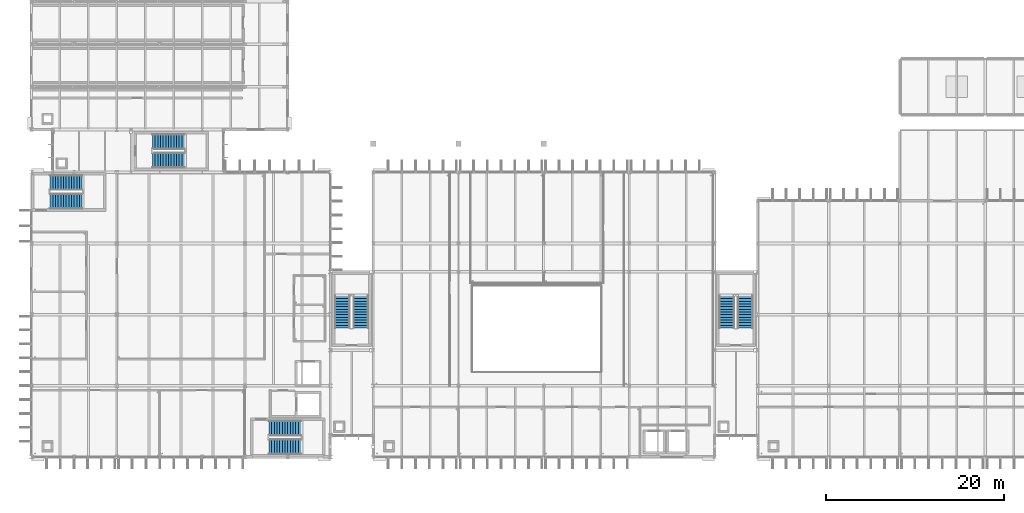
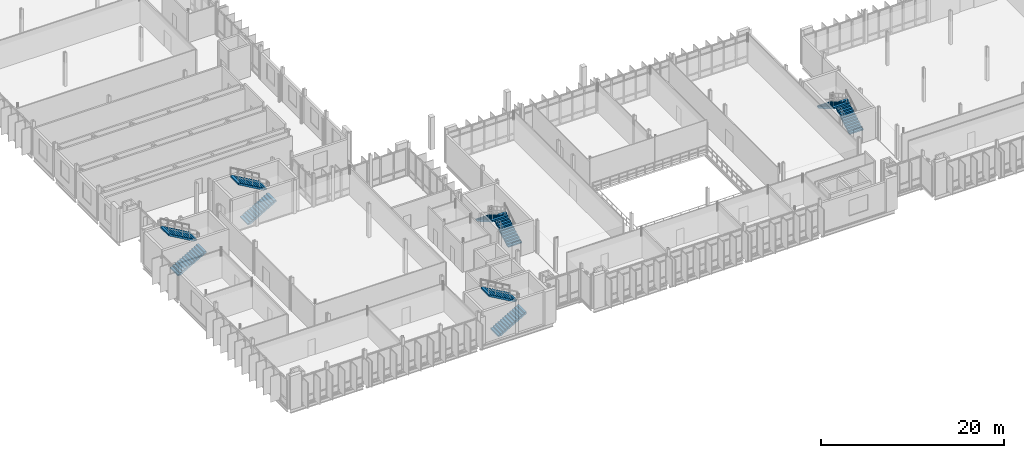
# One storey, part 68 of 110: 10 stair flights, 5 elements without a shape of their own.
"""IFC4 building model written with IfcOpenShell, lengths in metres."""

import ifcopenshell
import ifcopenshell.guid

model = None  # the IFC model being written
_history = None  # IfcOwnerHistory: only IFC2X3 demands one
_inside = {}  # id of a spatial element -> (the spatial element, [elements in it])
_under = {}  # id of a project, library or spatial element -> (it, [spatial elements below it])
_declared = {}  # id of a project -> (the project, [libraries it declares])
_typed = {}  # id of a type object -> (the type object, [elements of that type])
_made_of = {}  # id of a material, layer set ... -> (it, [elements and type objects made of it])


def new_model(schema):
    """Start an empty IFC model of exactly this schema.

    Asked for "IFC4X3", IfcOpenShell would pick the latest addendum, in which some entities
    have other attributes; the version numbers below select the first issue.
    IFC2X3 requires an IfcOwnerHistory on every rooted entity: one is made here for all.
    """
    global model, _history
    if schema == "IFC4X3":
        model = ifcopenshell.file(schema_version=(4, 3, 0, 0))
    else:
        model = ifcopenshell.file(schema=schema)
    _inside.clear()
    _under.clear()
    _declared.clear()
    _typed.clear()
    _made_of.clear()
    _history = None
    if model.schema == "IFC2X3":
        org = make("IfcOrganization", Name="unknown")
        user = make(
            "IfcPersonAndOrganization",
            ThePerson=make("IfcPerson", FamilyName="unknown"),
            TheOrganization=org,
        )
        app = make(
            "IfcApplication",
            ApplicationDeveloper=org,
            Version="unknown",
            ApplicationFullName="unknown",
            ApplicationIdentifier="unknown",
        )
        _history = make(
            "IfcOwnerHistory",
            OwningUser=user,
            OwningApplication=app,
            ChangeAction="ADDED",
            CreationDate=0,
        )
    return model


def make(cls, **values):
    """One entity of the class cls with the attributes given. An attribute that is None is left unset."""
    return model.create_entity(
        cls, **{name: value for name, value in values.items() if value is not None}
    )


def rooted(cls, **values):
    """An entity with a GlobalId (a new one), such as an element, a storey or a relation."""
    return make(cls, GlobalId=ifcopenshell.guid.new(), OwnerHistory=_history, **values)


def si_unit(unit_type, name, prefix=None):
    """IfcSIUnit, for example si_unit("LENGTHUNIT", "METRE", prefix="MILLI")."""
    return make("IfcSIUnit", UnitType=unit_type, Prefix=prefix, Name=name)


def assignment(units):
    """IfcUnitAssignment: the units of a project."""
    return None if units is None else make("IfcUnitAssignment", Units=units)


def point(xyz):
    """IfcCartesianPoint."""
    return None if xyz is None else make("IfcCartesianPoint", Coordinates=xyz)


def direction(xyz):
    """IfcDirection."""
    return None if xyz is None else make("IfcDirection", DirectionRatios=xyz)


def frame(location, z_axis=None, x_axis=None):
    """IfcAxis2Placement3D, a coordinate frame: its origin and axes. An axis left out is left unset."""
    return make(
        "IfcAxis2Placement3D",
        Location=point(location),
        Axis=direction(z_axis),
        RefDirection=direction(x_axis),
    )


def origin():
    """The frame at (0, 0, 0) with its axes left unset."""
    return frame((0.0, 0.0, 0.0))


def place(relative_to, where):
    """IfcLocalPlacement: puts the frame where relative to a parent placement (None: the world)."""
    return make(
        "IfcLocalPlacement", PlacementRelTo=relative_to, RelativePlacement=where
    )


def context(
    kind, dimensions, precision=None, world=None, true_north=None, identifier=None
):
    """IfcGeometricRepresentationContext, for example the 3D "Model" context."""
    return make(
        "IfcGeometricRepresentationContext",
        ContextIdentifier=identifier,
        ContextType=kind,
        CoordinateSpaceDimension=dimensions,
        Precision=precision,
        WorldCoordinateSystem=world,
        TrueNorth=true_north,
    )


def subcontext(parent, identifier, kind, view, scale=None):
    """IfcGeometricRepresentationSubContext, for example "Body" below "Model"."""
    return make(
        "IfcGeometricRepresentationSubContext",
        ContextIdentifier=identifier,
        ContextType=kind,
        ParentContext=parent,
        TargetScale=scale,
        TargetView=view,
    )


def project(units=None, contexts=None):
    """IfcProject with its units and contexts."""
    return rooted(
        "IfcProject",
        Name="project",
        RepresentationContexts=contexts,
        UnitsInContext=assignment(units),
    )


def spatial(cls, under=None, at=None, **own):
    """A site, building, storey or space (cls), placed at a placement, below another one or the project."""
    s = rooted(cls, ObjectPlacement=at, **own)
    if under is not None:
        _under.setdefault(under.id(), (under, []))[1].append(s)
    return s


def polyline(points):
    """IfcPolyline through the points."""
    return make("IfcPolyline", Points=[point(p) for p in points])


def outline(outer, holes=None, kind="AREA"):
    """IfcArbitraryClosedProfileDef: a profile drawn as a closed curve; with holes, ...WithVoids."""
    if holes is None:
        return make("IfcArbitraryClosedProfileDef", ProfileType=kind, OuterCurve=outer)
    return make(
        "IfcArbitraryProfileDefWithVoids",
        ProfileType=kind,
        OuterCurve=outer,
        InnerCurves=holes,
    )


def extrude(swept, where, along, depth):
    """IfcExtrudedAreaSolid: the profile swept, set in the frame where, extruded along a direction by depth."""
    return make(
        "IfcExtrudedAreaSolid",
        SweptArea=swept,
        Position=where,
        ExtrudedDirection=direction(along),
        Depth=depth,
    )


def shape(context_of_items, identifier, shape_type, items):
    """IfcShapeRepresentation: the items that make up one representation, for example the "Body"."""
    return make(
        "IfcShapeRepresentation",
        ContextOfItems=context_of_items,
        RepresentationIdentifier=identifier,
        RepresentationType=shape_type,
        Items=items,
    )


def material(Name=None, Category=None):
    """IfcMaterial."""
    return make("IfcMaterial", Name=Name, Category=Category)


def made_of(thing, what):
    """Note that an element or type object is made of a material, layer set ...; save() writes the relation."""
    if what is not None:
        _made_of.setdefault(what.id(), (what, []))[1].append(thing)
    return thing


def type_object(cls, material=None, **own):
    """A type object (cls), such as IfcWallType, which elements share."""
    return made_of(rooted(cls, **own), material)


def element(
    cls,
    number,
    at=None,
    inside=None,
    cuts=None,
    type_object=None,
    material=None,
    context=None,
    identifier="Body",
    shape_type=None,
    held_by="IfcProductDefinitionShape",
    body=None,
    shapes=None,
    **own,
):
    """One element of the class cls, such as IfcWall. Its Tag is "e" and its number.

    at: its placement. inside: the storey or other place that contains it. cuts: it is an
    opening in that element (IfcRelVoidsElement). A single representation is given by context,
    identifier, shape_type and body (its items); several are given by shapes. held_by: the class
    of the entity that holds the representations. save() writes the other relations.
    """
    e = rooted(cls, Tag="e%d" % number, ObjectPlacement=at, **own)
    if body is not None:
        shapes = [shape(context, identifier, shape_type, body)]
    if shapes is not None:
        e.Representation = make(held_by, Representations=shapes)
    if inside is not None:
        _inside.setdefault(inside.id(), (inside, []))[1].append(e)
    if cuts is not None:
        rooted(
            "IfcRelVoidsElement", RelatingBuildingElement=cuts, RelatedOpeningElement=e
        )
    if type_object is not None:
        _typed.setdefault(type_object.id(), (type_object, []))[1].append(e)
    return made_of(e, material)


def aggregate(whole, parts):
    """IfcRelAggregates: a whole, such as a stair, and the parts it consists of."""
    return rooted("IfcRelAggregates", RelatingObject=whole, RelatedObjects=parts)


def save(model, path):
    """Write the relations noted so far, then the file.

    IfcRelAggregates (storeys below a building ...), IfcRelContainedInSpatialStructure (elements
    in a storey), IfcRelDefinesByType, IfcRelAssociatesMaterial and IfcRelDeclares: one each for
    every whole, place, type object, material and project.
    """
    for whole, parts in _under.values():
        aggregate(whole, parts)
    for where, things in _inside.values():
        rooted(
            "IfcRelContainedInSpatialStructure",
            RelatedElements=things,
            RelatingStructure=where,
        )
    for kind, things in _typed.values():
        rooted("IfcRelDefinesByType", RelatedObjects=things, RelatingType=kind)
    for what, things in _made_of.values():
        rooted("IfcRelAssociatesMaterial", RelatedObjects=things, RelatingMaterial=what)
    for by, libraries in _declared.values():
        rooted("IfcRelDeclares", RelatingContext=by, RelatedDefinitions=libraries)
    model.write(path)


model = new_model("IFC4")

# Units and contexts
model_context = context("Model", 3, precision=1e-05, world=origin(), true_north=direction((0.0, 1.0)))
body_context = subcontext(model_context, "Body", "Model", "MODEL_VIEW")
ifc_project = project(units=[si_unit("LENGTHUNIT", "METRE"), si_unit("AREAUNIT", "SQUARE_METRE"), si_unit("VOLUMEUNIT", "CUBIC_METRE"), si_unit("PLANEANGLEUNIT", "RADIAN"), si_unit("MASSUNIT", "GRAM", prefix="KILO")], contexts=[model_context])

# Site, building, storey
site_placement = place(None, origin())
site = spatial("IfcSite", under=ifc_project, at=site_placement, CompositionType="ELEMENT")
building_placement = place(site_placement, origin())
building = spatial("IfcBuilding", under=site, at=building_placement, Name="Dunescarp Central Library", CompositionType="ELEMENT")
storey_placement = place(building_placement, frame((0.0, 0.0, 9.60009765625)))
storey = spatial("IfcBuildingStorey", under=building, at=storey_placement, Name="L02", CompositionType="ELEMENT", Elevation=9.60009765625)

# Stair, stair flights
ifc_material = material(Name="Concrete C35/45", Category="concrete")
stair_type = type_object("IfcStairType", Name="ARC-STR-TYP", PredefinedType="HALF_TURN_STAIR", material=ifc_material)
stair_1_placement = place(storey_placement, origin())
stair_1 = element("IfcStair", 1, at=stair_1_placement, inside=storey, type_object=stair_type, Name="L02 Protected escape stair ST-1", PredefinedType="HALF_TURN_STAIR")
stair_flight_type = type_object("IfcStairFlightType", Name="ARC-FLT-TYP", PredefinedType="STRAIGHT", material=ifc_material)
stair_flight_1_placement = place(storey_placement, frame((26.699951171875, 5.9599609375, 0.0), z_axis=(0.0, 0.0, 1.0), x_axis=(1.0, 0.0, 0.0)))
stair_flight_1 = element("IfcStairFlight", 2, at=stair_flight_1_placement, type_object=stair_flight_type, Name="ST-1 flight 1", NumberOfRisers=13, NumberOfTreads=12, PredefinedType="STRAIGHT", RiserHeight=0.173076923, TreadLength=0.3, context=body_context, shape_type="SweptSolid", body=[
    extrude(outline(polyline([(0.0, 0.0), (0.0, 0.173095703125), (0.300048828125, 0.173095703125), (0.300048828125, 0.34619140625), (0.60009765625, 0.34619140625), (0.60009765625, 0.519287109375), (0.89990234375, 0.519287109375), (0.89990234375, 0.6923828125), (1.199951171875, 0.6923828125), (1.199951171875, 0.865478515625), (1.5, 0.865478515625), (1.5, 1.03857421875), (1.800048828125, 1.03857421875), (1.800048828125, 1.21142578125), (2.10009765625, 1.21142578125), (2.10009765625, 1.384521484375), (2.39990234375, 1.384521484375), (2.39990234375, 1.5576171875), (2.699951171875, 1.5576171875), (2.699951171875, 1.730712890625), (3.0, 1.730712890625), (3.0, 1.90380859375), (3.300048828125, 1.90380859375), (3.300048828125, 2.076904296875), (3.60009765625, 2.076904296875), (3.60009765625, 2.25), (3.60009765625, 1.869140625), (0.360107421875, 0.0), (0.0, 0.0)])), frame((0.0, 0.85986328125, 0.0), z_axis=(0.0, -1.0, 0.0), x_axis=(1.0, 0.0, 0.0)), (0.0, 0.0, 1.0), 1.719970703125),
])
stair_flight_2_placement = place(storey_placement, frame((30.300048828125, 8.0400390625, 2.25), z_axis=(0.0, 0.0, 1.0), x_axis=(-1.0, 0.0, 0.0)))
stair_flight_2 = element("IfcStairFlight", 3, at=stair_flight_2_placement, type_object=stair_flight_type, Name="ST-1 flight 2", NumberOfRisers=13, NumberOfTreads=12, PredefinedType="STRAIGHT", RiserHeight=0.173076923, TreadLength=0.3, context=body_context, shape_type="SweptSolid", body=[
    extrude(outline(polyline([(0.0, 0.0), (0.0, 0.173095703125), (0.300048828125, 0.173095703125), (0.300048828125, 0.34619140625), (0.60009765625, 0.34619140625), (0.60009765625, 0.519287109375), (0.89990234375, 0.519287109375), (0.89990234375, 0.6923828125), (1.199951171875, 0.6923828125), (1.199951171875, 0.865478515625), (1.5, 0.865478515625), (1.5, 1.03857421875), (1.800048828125, 1.03857421875), (1.800048828125, 1.21142578125), (2.10009765625, 1.21142578125), (2.10009765625, 1.384521484375), (2.39990234375, 1.384521484375), (2.39990234375, 1.5576171875), (2.699951171875, 1.5576171875), (2.699951171875, 1.730712890625), (3.0, 1.730712890625), (3.0, 1.90380859375), (3.300048828125, 1.90380859375), (3.300048828125, 2.076904296875), (3.60009765625, 2.076904296875), (3.60009765625, 2.25), (3.60009765625, 1.869140625), (0.360107421875, 0.0), (0.0, 0.0)])), frame((0.0, 0.85986328125, 0.0), z_axis=(0.0, -1.0, 0.0), x_axis=(1.0, 0.0, 0.0)), (0.0, 0.0, 1.0), 1.719970703125),
])
aggregate(stair_1, [stair_flight_1, stair_flight_2])

stair_2_placement = place(storey_placement, origin())
stair_2 = element("IfcStair", 4, at=stair_2_placement, inside=storey, type_object=stair_type, Name="L02 Protected escape stair ST-6", PredefinedType="HALF_TURN_STAIR")
stair_flight_3_placement = place(storey_placement, frame((2.10009765625, 33.56005859375, 0.0), z_axis=(0.0, 0.0, 1.0), x_axis=(1.0, 0.0, 0.0)))
stair_flight_3 = element("IfcStairFlight", 5, at=stair_flight_3_placement, type_object=stair_flight_type, Name="ST-6 flight 1", NumberOfRisers=13, NumberOfTreads=12, PredefinedType="STRAIGHT", RiserHeight=0.173076923, TreadLength=0.3, context=body_context, shape_type="SweptSolid", body=[
    extrude(outline(polyline([(0.0, 0.0), (0.0, 0.173095703125), (0.300048828125, 0.173095703125), (0.300048828125, 0.34619140625), (0.60009765625, 0.34619140625), (0.60009765625, 0.519287109375), (0.89990234375, 0.519287109375), (0.89990234375, 0.6923828125), (1.199951171875, 0.6923828125), (1.199951171875, 0.865478515625), (1.5, 0.865478515625), (1.5, 1.03857421875), (1.800048828125, 1.03857421875), (1.800048828125, 1.21142578125), (2.10009765625, 1.21142578125), (2.10009765625, 1.384521484375), (2.39990234375, 1.384521484375), (2.39990234375, 1.5576171875), (2.699951171875, 1.5576171875), (2.699951171875, 1.730712890625), (3.0, 1.730712890625), (3.0, 1.90380859375), (3.300048828125, 1.90380859375), (3.300048828125, 2.076904296875), (3.60009765625, 2.076904296875), (3.60009765625, 2.25), (3.60009765625, 1.869140625), (0.360107421875, 0.0), (0.0, 0.0)])), frame((0.0, 0.85986328125, 0.0), z_axis=(0.0, -1.0, 0.0), x_axis=(1.0, 0.0, 0.0)), (0.0, 0.0, 1.0), 1.719970703125),
])
stair_flight_4_placement = place(storey_placement, frame((5.699951171875, 35.639892578125, 2.25), z_axis=(0.0, 0.0, 1.0), x_axis=(-1.0, 0.0, 0.0)))
stair_flight_4 = element("IfcStairFlight", 6, at=stair_flight_4_placement, type_object=stair_flight_type, Name="ST-6 flight 2", NumberOfRisers=13, NumberOfTreads=12, PredefinedType="STRAIGHT", RiserHeight=0.173076923, TreadLength=0.3, context=body_context, shape_type="SweptSolid", body=[
    extrude(outline(polyline([(0.0, 0.0), (0.0, 0.173095703125), (0.300048828125, 0.173095703125), (0.300048828125, 0.34619140625), (0.60009765625, 0.34619140625), (0.60009765625, 0.519287109375), (0.89990234375, 0.519287109375), (0.89990234375, 0.6923828125), (1.199951171875, 0.6923828125), (1.199951171875, 0.865478515625), (1.5, 0.865478515625), (1.5, 1.03857421875), (1.800048828125, 1.03857421875), (1.800048828125, 1.21142578125), (2.10009765625, 1.21142578125), (2.10009765625, 1.384521484375), (2.39990234375, 1.384521484375), (2.39990234375, 1.5576171875), (2.699951171875, 1.5576171875), (2.699951171875, 1.730712890625), (3.0, 1.730712890625), (3.0, 1.90380859375), (3.300048828125, 1.90380859375), (3.300048828125, 2.076904296875), (3.60009765625, 2.076904296875), (3.60009765625, 2.25), (3.60009765625, 1.869140625), (0.360107421875, 0.0), (0.0, 0.0)])), frame((0.0, 0.85986328125, 0.0), z_axis=(0.0, -1.0, 0.0), x_axis=(1.0, 0.0, 0.0)), (0.0, 0.0, 1.0), 1.719970703125),
])
aggregate(stair_2, [stair_flight_3, stair_flight_4])

stair_3_placement = place(storey_placement, origin())
stair_3 = element("IfcStair", 7, at=stair_3_placement, inside=storey, type_object=stair_type, Name="L02 Protected escape stair ST-2", PredefinedType="HALF_TURN_STAIR")
stair_flight_5_placement = place(storey_placement, frame((37.0400390625, 19.300048828125, 0.0), z_axis=(0.0, 0.0, 1.0), x_axis=(0.0, 1.0, 0.0)))
stair_flight_5 = element("IfcStairFlight", 8, at=stair_flight_5_placement, type_object=stair_flight_type, Name="ST-2 flight 1", NumberOfRisers=13, NumberOfTreads=12, PredefinedType="STRAIGHT", RiserHeight=0.173076923, TreadLength=0.3, context=body_context, shape_type="SweptSolid", body=[
    extrude(outline(polyline([(0.0, 0.0), (0.0, 0.173095703125), (0.300048828125, 0.173095703125), (0.300048828125, 0.34619140625), (0.60009765625, 0.34619140625), (0.60009765625, 0.519287109375), (0.89990234375, 0.519287109375), (0.89990234375, 0.6923828125), (1.199951171875, 0.6923828125), (1.199951171875, 0.865478515625), (1.5, 0.865478515625), (1.5, 1.03857421875), (1.800048828125, 1.03857421875), (1.800048828125, 1.21142578125), (2.10009765625, 1.21142578125), (2.10009765625, 1.384521484375), (2.39990234375, 1.384521484375), (2.39990234375, 1.5576171875), (2.699951171875, 1.5576171875), (2.699951171875, 1.730712890625), (3.0, 1.730712890625), (3.0, 1.90380859375), (3.300048828125, 1.90380859375), (3.300048828125, 2.076904296875), (3.60009765625, 2.076904296875), (3.60009765625, 2.25), (3.60009765625, 1.869140625), (0.360107421875, 0.0), (0.0, 0.0)])), frame((0.0, 0.85986328125, 0.0), z_axis=(0.0, -1.0, 0.0), x_axis=(1.0, 0.0, 0.0)), (0.0, 0.0, 1.0), 1.719970703125),
])
stair_flight_6_placement = place(storey_placement, frame((34.9599609375, 22.89990234375, 2.25), z_axis=(0.0, 0.0, 1.0), x_axis=(0.0, -1.0, 0.0)))
stair_flight_6 = element("IfcStairFlight", 9, at=stair_flight_6_placement, type_object=stair_flight_type, Name="ST-2 flight 2", NumberOfRisers=13, NumberOfTreads=12, PredefinedType="STRAIGHT", RiserHeight=0.173076923, TreadLength=0.3, context=body_context, shape_type="SweptSolid", body=[
    extrude(outline(polyline([(0.0, 0.0), (0.0, 0.173095703125), (0.300048828125, 0.173095703125), (0.300048828125, 0.34619140625), (0.60009765625, 0.34619140625), (0.60009765625, 0.519287109375), (0.89990234375, 0.519287109375), (0.89990234375, 0.6923828125), (1.199951171875, 0.6923828125), (1.199951171875, 0.865478515625), (1.5, 0.865478515625), (1.5, 1.03857421875), (1.800048828125, 1.03857421875), (1.800048828125, 1.21142578125), (2.10009765625, 1.21142578125), (2.10009765625, 1.384521484375), (2.39990234375, 1.384521484375), (2.39990234375, 1.5576171875), (2.699951171875, 1.5576171875), (2.699951171875, 1.730712890625), (3.0, 1.730712890625), (3.0, 1.90380859375), (3.300048828125, 1.90380859375), (3.300048828125, 2.076904296875), (3.60009765625, 2.076904296875), (3.60009765625, 2.25), (3.60009765625, 1.869140625), (0.360107421875, 0.0), (0.0, 0.0)])), frame((0.0, 0.85986328125, 0.0), z_axis=(0.0, -1.0, 0.0), x_axis=(1.0, 0.0, 0.0)), (0.0, 0.0, 1.0), 1.719970703125),
])
aggregate(stair_3, [stair_flight_5, stair_flight_6])

stair_4_placement = place(storey_placement, origin())
stair_4 = element("IfcStair", 10, at=stair_4_placement, inside=storey, type_object=stair_type, Name="L02 Protected escape stair ST-3", PredefinedType="HALF_TURN_STAIR")
stair_flight_7_placement = place(storey_placement, frame((80.239990234375, 19.300048828125, 0.0), z_axis=(0.0, 0.0, 1.0), x_axis=(0.0, 1.0, 0.0)))
stair_flight_7 = element("IfcStairFlight", 11, at=stair_flight_7_placement, type_object=stair_flight_type, Name="ST-3 flight 1", NumberOfRisers=13, NumberOfTreads=12, PredefinedType="STRAIGHT", RiserHeight=0.173076923, TreadLength=0.3, context=body_context, shape_type="SweptSolid", body=[
    extrude(outline(polyline([(0.0, 0.0), (0.0, 0.173095703125), (0.300048828125, 0.173095703125), (0.300048828125, 0.34619140625), (0.60009765625, 0.34619140625), (0.60009765625, 0.519287109375), (0.89990234375, 0.519287109375), (0.89990234375, 0.6923828125), (1.199951171875, 0.6923828125), (1.199951171875, 0.865478515625), (1.5, 0.865478515625), (1.5, 1.03857421875), (1.800048828125, 1.03857421875), (1.800048828125, 1.21142578125), (2.10009765625, 1.21142578125), (2.10009765625, 1.384521484375), (2.39990234375, 1.384521484375), (2.39990234375, 1.5576171875), (2.699951171875, 1.5576171875), (2.699951171875, 1.730712890625), (3.0, 1.730712890625), (3.0, 1.90380859375), (3.300048828125, 1.90380859375), (3.300048828125, 2.076904296875), (3.60009765625, 2.076904296875), (3.60009765625, 2.25), (3.60009765625, 1.869140625), (0.360107421875, 0.0), (0.0, 0.0)])), frame((0.0, 0.85986328125, 0.0), z_axis=(0.0, -1.0, 0.0), x_axis=(1.0, 0.0, 0.0)), (0.0, 0.0, 1.0), 1.719970703125),
])
stair_flight_8_placement = place(storey_placement, frame((78.159912109375, 22.89990234375, 2.25), z_axis=(0.0, 0.0, 1.0), x_axis=(0.0, -1.0, 0.0)))
stair_flight_8 = element("IfcStairFlight", 12, at=stair_flight_8_placement, type_object=stair_flight_type, Name="ST-3 flight 2", NumberOfRisers=13, NumberOfTreads=12, PredefinedType="STRAIGHT", RiserHeight=0.173076923, TreadLength=0.3, context=body_context, shape_type="SweptSolid", body=[
    extrude(outline(polyline([(0.0, 0.0), (0.0, 0.173095703125), (0.300048828125, 0.173095703125), (0.300048828125, 0.34619140625), (0.60009765625, 0.34619140625), (0.60009765625, 0.519287109375), (0.89990234375, 0.519287109375), (0.89990234375, 0.6923828125), (1.199951171875, 0.6923828125), (1.199951171875, 0.865478515625), (1.5, 0.865478515625), (1.5, 1.03857421875), (1.800048828125, 1.03857421875), (1.800048828125, 1.21142578125), (2.10009765625, 1.21142578125), (2.10009765625, 1.384521484375), (2.39990234375, 1.384521484375), (2.39990234375, 1.5576171875), (2.699951171875, 1.5576171875), (2.699951171875, 1.730712890625), (3.0, 1.730712890625), (3.0, 1.90380859375), (3.300048828125, 1.90380859375), (3.300048828125, 2.076904296875), (3.60009765625, 2.076904296875), (3.60009765625, 2.25), (3.60009765625, 1.869140625), (0.360107421875, 0.0), (0.0, 0.0)])), frame((0.0, 0.85986328125, 0.0), z_axis=(0.0, -1.0, 0.0), x_axis=(1.0, 0.0, 0.0)), (0.0, 0.0, 1.0), 1.719970703125),
])
aggregate(stair_4, [stair_flight_7, stair_flight_8])

stair_5_placement = place(storey_placement, origin())
stair_5 = element("IfcStair", 13, at=stair_5_placement, inside=storey, type_object=stair_type, Name="L02 Protected escape stair ST-4", PredefinedType="HALF_TURN_STAIR")
stair_flight_9_placement = place(storey_placement, frame((13.60009765625, 38.159912109375, 0.0), z_axis=(0.0, 0.0, 1.0), x_axis=(1.0, 0.0, 0.0)))
stair_flight_9 = element("IfcStairFlight", 14, at=stair_flight_9_placement, type_object=stair_flight_type, Name="ST-4 flight 1", NumberOfRisers=13, NumberOfTreads=12, PredefinedType="STRAIGHT", RiserHeight=0.173076923, TreadLength=0.3, context=body_context, shape_type="SweptSolid", body=[
    extrude(outline(polyline([(0.0, 0.0), (0.0, 0.173095703125), (0.300048828125, 0.173095703125), (0.300048828125, 0.34619140625), (0.60009765625, 0.34619140625), (0.60009765625, 0.519287109375), (0.89990234375, 0.519287109375), (0.89990234375, 0.6923828125), (1.199951171875, 0.6923828125), (1.199951171875, 0.865478515625), (1.5, 0.865478515625), (1.5, 1.03857421875), (1.800048828125, 1.03857421875), (1.800048828125, 1.21142578125), (2.10009765625, 1.21142578125), (2.10009765625, 1.384521484375), (2.39990234375, 1.384521484375), (2.39990234375, 1.5576171875), (2.699951171875, 1.5576171875), (2.699951171875, 1.730712890625), (3.0, 1.730712890625), (3.0, 1.90380859375), (3.300048828125, 1.90380859375), (3.300048828125, 2.076904296875), (3.60009765625, 2.076904296875), (3.60009765625, 2.25), (3.60009765625, 1.869140625), (0.360107421875, 0.0), (0.0, 0.0)])), frame((0.0, 0.85986328125, 0.0), z_axis=(0.0, -1.0, 0.0), x_axis=(1.0, 0.0, 0.0)), (0.0, 0.0, 1.0), 1.719970703125),
])
stair_flight_10_placement = place(storey_placement, frame((17.199951171875, 40.239990234375, 2.25), z_axis=(0.0, 0.0, 1.0), x_axis=(-1.0, 0.0, 0.0)))
stair_flight_10 = element("IfcStairFlight", 15, at=stair_flight_10_placement, type_object=stair_flight_type, Name="ST-4 flight 2", NumberOfRisers=13, NumberOfTreads=12, PredefinedType="STRAIGHT", RiserHeight=0.173076923, TreadLength=0.3, context=body_context, shape_type="SweptSolid", body=[
    extrude(outline(polyline([(0.0, 0.0), (0.0, 0.173095703125), (0.300048828125, 0.173095703125), (0.300048828125, 0.34619140625), (0.60009765625, 0.34619140625), (0.60009765625, 0.519287109375), (0.89990234375, 0.519287109375), (0.89990234375, 0.6923828125), (1.199951171875, 0.6923828125), (1.199951171875, 0.865478515625), (1.5, 0.865478515625), (1.5, 1.03857421875), (1.800048828125, 1.03857421875), (1.800048828125, 1.21142578125), (2.10009765625, 1.21142578125), (2.10009765625, 1.384521484375), (2.39990234375, 1.384521484375), (2.39990234375, 1.5576171875), (2.699951171875, 1.5576171875), (2.699951171875, 1.730712890625), (3.0, 1.730712890625), (3.0, 1.90380859375), (3.300048828125, 1.90380859375), (3.300048828125, 2.076904296875), (3.60009765625, 2.076904296875), (3.60009765625, 2.25), (3.60009765625, 1.869140625), (0.360107421875, 0.0), (0.0, 0.0)])), frame((0.0, 0.85986328125, 0.0), z_axis=(0.0, -1.0, 0.0), x_axis=(1.0, 0.0, 0.0)), (0.0, 0.0, 1.0), 1.719970703125),
])
aggregate(stair_5, [stair_flight_9, stair_flight_10])

save(model, "model.ifc")
